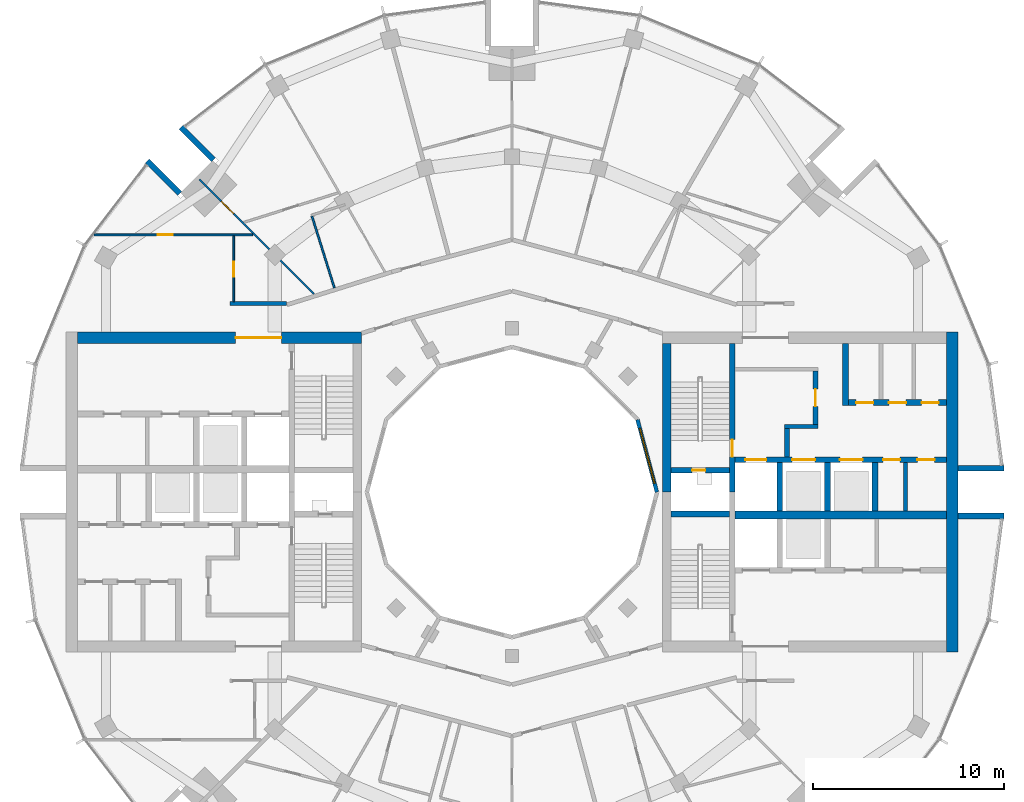
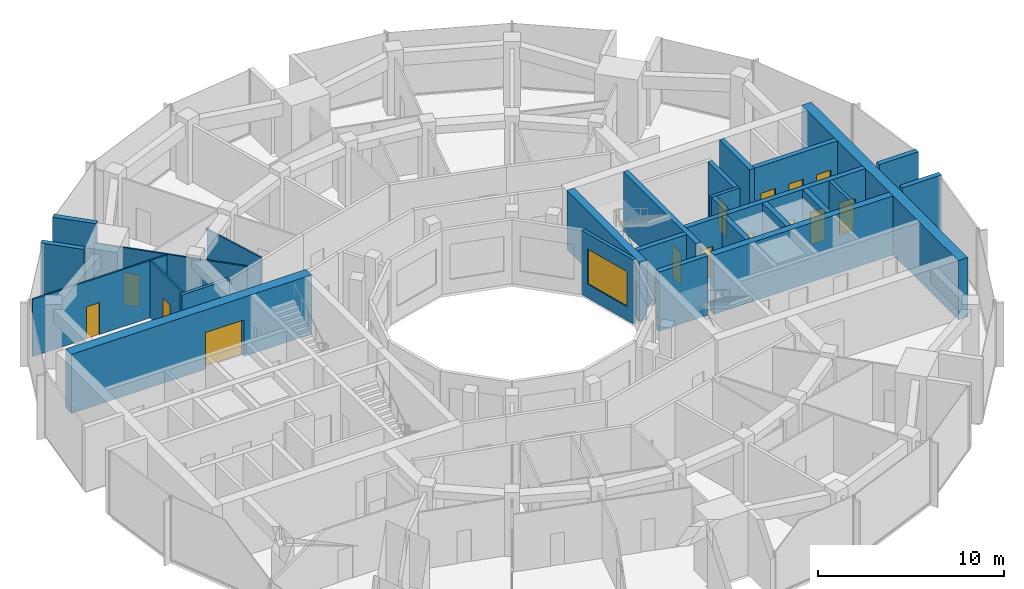
# One storey, part 11 of 15: 27 walls, 15 doors, 1 window, 16 openings.
"""IFC4 building model written with IfcOpenShell, lengths in metres."""

import ifcopenshell
import ifcopenshell.guid

model = None  # the IFC model being written
_history = None  # IfcOwnerHistory: only IFC2X3 demands one
_inside = {}  # id of a spatial element -> (the spatial element, [elements in it])
_under = {}  # id of a project, library or spatial element -> (it, [spatial elements below it])
_declared = {}  # id of a project -> (the project, [libraries it declares])
_typed = {}  # id of a type object -> (the type object, [elements of that type])
_made_of = {}  # id of a material, layer set ... -> (it, [elements and type objects made of it])


def new_model(schema):
    """Start an empty IFC model of exactly this schema.

    Asked for "IFC4X3", IfcOpenShell would pick the latest addendum, in which some entities
    have other attributes; the version numbers below select the first issue.
    IFC2X3 requires an IfcOwnerHistory on every rooted entity: one is made here for all.
    """
    global model, _history
    if schema == "IFC4X3":
        model = ifcopenshell.file(schema_version=(4, 3, 0, 0))
    else:
        model = ifcopenshell.file(schema=schema)
    _inside.clear()
    _under.clear()
    _declared.clear()
    _typed.clear()
    _made_of.clear()
    _history = None
    if model.schema == "IFC2X3":
        org = make("IfcOrganization", Name="unknown")
        user = make(
            "IfcPersonAndOrganization",
            ThePerson=make("IfcPerson", FamilyName="unknown"),
            TheOrganization=org,
        )
        app = make(
            "IfcApplication",
            ApplicationDeveloper=org,
            Version="unknown",
            ApplicationFullName="unknown",
            ApplicationIdentifier="unknown",
        )
        _history = make(
            "IfcOwnerHistory",
            OwningUser=user,
            OwningApplication=app,
            ChangeAction="ADDED",
            CreationDate=0,
        )
    return model


def make(cls, **values):
    """One entity of the class cls with the attributes given. An attribute that is None is left unset."""
    return model.create_entity(
        cls, **{name: value for name, value in values.items() if value is not None}
    )


def rooted(cls, **values):
    """An entity with a GlobalId (a new one), such as an element, a storey or a relation."""
    return make(cls, GlobalId=ifcopenshell.guid.new(), OwnerHistory=_history, **values)


def si_unit(unit_type, name, prefix=None):
    """IfcSIUnit, for example si_unit("LENGTHUNIT", "METRE", prefix="MILLI")."""
    return make("IfcSIUnit", UnitType=unit_type, Prefix=prefix, Name=name)


def assignment(units):
    """IfcUnitAssignment: the units of a project."""
    return None if units is None else make("IfcUnitAssignment", Units=units)


def point(xyz):
    """IfcCartesianPoint."""
    return None if xyz is None else make("IfcCartesianPoint", Coordinates=xyz)


def direction(xyz):
    """IfcDirection."""
    return None if xyz is None else make("IfcDirection", DirectionRatios=xyz)


def frame(location, z_axis=None, x_axis=None):
    """IfcAxis2Placement3D, a coordinate frame: its origin and axes. An axis left out is left unset."""
    return make(
        "IfcAxis2Placement3D",
        Location=point(location),
        Axis=direction(z_axis),
        RefDirection=direction(x_axis),
    )


def frame_2d(location, x_axis=None):
    """IfcAxis2Placement2D, a coordinate frame in the plane: its origin and x axis."""
    return make(
        "IfcAxis2Placement2D", Location=point(location), RefDirection=direction(x_axis)
    )


def origin():
    """The frame at (0, 0, 0) with its axes left unset."""
    return frame((0.0, 0.0, 0.0))


def place(relative_to, where):
    """IfcLocalPlacement: puts the frame where relative to a parent placement (None: the world)."""
    return make(
        "IfcLocalPlacement", PlacementRelTo=relative_to, RelativePlacement=where
    )


def context(
    kind, dimensions, precision=None, world=None, true_north=None, identifier=None
):
    """IfcGeometricRepresentationContext, for example the 3D "Model" context."""
    return make(
        "IfcGeometricRepresentationContext",
        ContextIdentifier=identifier,
        ContextType=kind,
        CoordinateSpaceDimension=dimensions,
        Precision=precision,
        WorldCoordinateSystem=world,
        TrueNorth=true_north,
    )


def subcontext(parent, identifier, kind, view, scale=None):
    """IfcGeometricRepresentationSubContext, for example "Body" below "Model"."""
    return make(
        "IfcGeometricRepresentationSubContext",
        ContextIdentifier=identifier,
        ContextType=kind,
        ParentContext=parent,
        TargetScale=scale,
        TargetView=view,
    )


def project(units=None, contexts=None):
    """IfcProject with its units and contexts."""
    return rooted(
        "IfcProject",
        Name="project",
        RepresentationContexts=contexts,
        UnitsInContext=assignment(units),
    )


def spatial(cls, under=None, at=None, **own):
    """A site, building, storey or space (cls), placed at a placement, below another one or the project."""
    s = rooted(cls, ObjectPlacement=at, **own)
    if under is not None:
        _under.setdefault(under.id(), (under, []))[1].append(s)
    return s


def profile(cls, at=None, kind="AREA", **sizes):
    """A parametric profile (cls). Its sizes go by their IFC names, for example OverallWidth=200.0."""
    return make(cls, ProfileType=kind, Position=at, **sizes)


def rectangle(**sizes):
    """IfcRectangleProfileDef."""
    return profile("IfcRectangleProfileDef", **sizes)


def extrude(swept, where, along, depth):
    """IfcExtrudedAreaSolid: the profile swept, set in the frame where, extruded along a direction by depth."""
    return make(
        "IfcExtrudedAreaSolid",
        SweptArea=swept,
        Position=where,
        ExtrudedDirection=direction(along),
        Depth=depth,
    )


def shape(context_of_items, identifier, shape_type, items):
    """IfcShapeRepresentation: the items that make up one representation, for example the "Body"."""
    return make(
        "IfcShapeRepresentation",
        ContextOfItems=context_of_items,
        RepresentationIdentifier=identifier,
        RepresentationType=shape_type,
        Items=items,
    )


def material(Name=None, Category=None):
    """IfcMaterial."""
    return make("IfcMaterial", Name=Name, Category=Category)


def layer(
    of_material, thickness, ventilated=None, Name=None, Category=None, Priority=None
):
    """IfcMaterialLayer: one layer of a wall or slab, of a material (None: an air gap)."""
    return make(
        "IfcMaterialLayer",
        Material=of_material,
        LayerThickness=thickness,
        IsVentilated=ventilated,
        Name=Name,
        Category=Category,
        Priority=Priority,
    )


def layer_set(layers, Name=None):
    """IfcMaterialLayerSet."""
    return make("IfcMaterialLayerSet", MaterialLayers=layers, LayerSetName=Name)


def made_of(thing, what):
    """Note that an element or type object is made of a material, layer set ...; save() writes the relation."""
    if what is not None:
        _made_of.setdefault(what.id(), (what, []))[1].append(thing)
    return thing


def type_object(cls, material=None, **own):
    """A type object (cls), such as IfcWallType, which elements share."""
    return made_of(rooted(cls, **own), material)


def element(
    cls,
    number,
    at=None,
    inside=None,
    cuts=None,
    type_object=None,
    material=None,
    context=None,
    identifier="Body",
    shape_type=None,
    held_by="IfcProductDefinitionShape",
    body=None,
    shapes=None,
    **own,
):
    """One element of the class cls, such as IfcWall. Its Tag is "e" and its number.

    at: its placement. inside: the storey or other place that contains it. cuts: it is an
    opening in that element (IfcRelVoidsElement). A single representation is given by context,
    identifier, shape_type and body (its items); several are given by shapes. held_by: the class
    of the entity that holds the representations. save() writes the other relations.
    """
    e = rooted(cls, Tag="e%d" % number, ObjectPlacement=at, **own)
    if body is not None:
        shapes = [shape(context, identifier, shape_type, body)]
    if shapes is not None:
        e.Representation = make(held_by, Representations=shapes)
    if inside is not None:
        _inside.setdefault(inside.id(), (inside, []))[1].append(e)
    if cuts is not None:
        rooted(
            "IfcRelVoidsElement", RelatingBuildingElement=cuts, RelatedOpeningElement=e
        )
    if type_object is not None:
        _typed.setdefault(type_object.id(), (type_object, []))[1].append(e)
    return made_of(e, material)


def fill(opening, filler):
    """IfcRelFillsElement: the door or window that sits in an opening."""
    return rooted(
        "IfcRelFillsElement",
        RelatingOpeningElement=opening,
        RelatedBuildingElement=filler,
    )


def aggregate(whole, parts):
    """IfcRelAggregates: a whole, such as a stair, and the parts it consists of."""
    return rooted("IfcRelAggregates", RelatingObject=whole, RelatedObjects=parts)


def save(model, path):
    """Write the relations noted so far, then the file.

    IfcRelAggregates (storeys below a building ...), IfcRelContainedInSpatialStructure (elements
    in a storey), IfcRelDefinesByType, IfcRelAssociatesMaterial and IfcRelDeclares: one each for
    every whole, place, type object, material and project.
    """
    for whole, parts in _under.values():
        aggregate(whole, parts)
    for where, things in _inside.values():
        rooted(
            "IfcRelContainedInSpatialStructure",
            RelatedElements=things,
            RelatingStructure=where,
        )
    for kind, things in _typed.values():
        rooted("IfcRelDefinesByType", RelatedObjects=things, RelatingType=kind)
    for what, things in _made_of.values():
        rooted("IfcRelAssociatesMaterial", RelatedObjects=things, RelatingMaterial=what)
    for by, libraries in _declared.values():
        rooted("IfcRelDeclares", RelatingContext=by, RelatedDefinitions=libraries)
    model.write(path)


model = new_model("IFC4")

# Units and contexts
model_context = context("Model", 3, precision=1e-05, world=origin(), true_north=direction((0.0, 1.0)))
body_context = subcontext(model_context, "Body", "Model", "MODEL_VIEW")
ifc_project = project(units=[si_unit("LENGTHUNIT", "METRE"), si_unit("AREAUNIT", "SQUARE_METRE"), si_unit("VOLUMEUNIT", "CUBIC_METRE"), si_unit("PLANEANGLEUNIT", "RADIAN"), si_unit("MASSUNIT", "GRAM", prefix="KILO")], contexts=[model_context])

# Site, building, storey
site_placement = place(None, origin())
site = spatial("IfcSite", under=ifc_project, at=site_placement, CompositionType="ELEMENT")
building_placement = place(site_placement, origin())
building = spatial("IfcBuilding", under=site, at=building_placement, Name="Torre Brocal", CompositionType="ELEMENT")
storey_placement = place(building_placement, frame((0.0, 0.0, 258.300048828125)))
storey = spatial("IfcBuildingStorey", under=building, at=storey_placement, Name="L59", CompositionType="ELEMENT", Elevation=258.300048828125)

# Walls
ifc_material_1 = material(Name="Masonry block", Category="masonry")
ifc_layer_1 = layer(ifc_material_1, 0.199951171875)
ifc_layer_set_1 = layer_set([ifc_layer_1], Name="Masonry block")
wall_type_1 = type_object("IfcWallType", Name="CORE PARTITION 200", PredefinedType="PARTITIONING", material=ifc_layer_set_1)
wall_1_placement = place(storey_placement, frame((100.639892578125, 74.0, 0.0), z_axis=(0.0, 0.0, 1.0), x_axis=(0.0, 1.0, 0.0)))
element("IfcWall", 1, at=wall_1_placement, inside=storey, type_object=wall_type_1, Name="Wall CP200", PredefinedType="PARTITIONING", context=body_context, shape_type="SweptSolid", body=[
    extrude(rectangle(XDim=2.550048828125, YDim=0.199951171875, at=frame_2d((1.27490234375, 0.0))), origin(), (0.0, 0.0, 1.0), 3.8798828125),
])
ifc_material_2 = material(Name="Concrete C60", Category="concrete")
ifc_layer_2 = layer(ifc_material_2, 0.199951171875)
ifc_layer_set_2 = layer_set([ifc_layer_2], Name="Concrete C60")
wall_type_2 = type_object("IfcWallType", Name="CORE WALL 200 C60", PredefinedType="SHEAR", material=ifc_layer_set_2)
wall_2_placement = place(storey_placement, frame((94.300048828125, 78.449951171875, 0.0), z_axis=(0.0, 0.0, 1.0), x_axis=(1.0, 0.0, 0.0)))
element("IfcWall", 2, at=wall_2_placement, inside=storey, type_object=wall_type_2, Name="Wall CW200-60", PredefinedType="SHEAR", context=body_context, shape_type="SweptSolid", body=[
    extrude(rectangle(XDim=1.75, YDim=0.199951171875, at=frame_2d((0.875, 0.0))), origin(), (0.0, 0.0, 1.0), 3.8798828125),
])

# Wall, opening, door
ifc_material_3 = material(Name="Concrete C60", Category="concrete")
ifc_layer_3 = layer(ifc_material_3, 0.25)
ifc_layer_set_3 = layer_set([ifc_layer_3], Name="Concrete C60")
wall_type_3 = type_object("IfcWallType", Name="CORE WALL 250 C60", PredefinedType="SHEAR", material=ifc_layer_set_3)
wall_3_placement = place(storey_placement, frame((95.925048828125, 78.550048828125, 0.0), z_axis=(0.0, 0.0, 1.0), x_axis=(0.0, 1.0, 0.0)))
wall_3 = element("IfcWall", 3, at=wall_3_placement, inside=storey, type_object=wall_type_3, Name="Wall CW250-60", PredefinedType="SHEAR", context=body_context, shape_type="SweptSolid", body=[
    extrude(rectangle(XDim=2.800048828125, YDim=0.25, at=frame_2d((1.39990234375, 0.0))), origin(), (0.0, 0.0, 1.0), 3.8798828125),
])
opening_1_placement = place(wall_3_placement, frame((0.949951171875, 0.0, 0.0)))
opening_1 = element("IfcOpeningElement", 4, at=opening_1_placement, cuts=wall_3, Name="Opening E-D08", PredefinedType="OPENING", context=body_context, shape_type="SweptSolid", body=[
    extrude(rectangle(XDim=0.89990234375, YDim=2.10009765625, at=frame_2d((0.449951171875, 1.050048828125))), frame((0.0, 0.135009765625, 0.0), z_axis=(0.0, -1.0, 0.0), x_axis=(1.0, 0.0, 0.0)), (0.0, 0.0, 1.0), 0.27001953125),
])
ifc_material_4 = material(Name="Steel A653", Category="steel")
door_type_1 = type_object("IfcDoorType", Name="LOBBY DOOR FD120 900X2100", OperationType="SINGLE_SWING_RIGHT", PredefinedType="DOOR", material=ifc_material_4)
door_1_placement = place(opening_1_placement, origin())
door_1 = element("IfcDoor", 5, at=door_1_placement, inside=storey, type_object=door_type_1, Name="Door E-D08", OperationType="SINGLE_SWING_LEFT", OverallHeight=2.10009765625, OverallWidth=0.89990234375, PredefinedType="DOOR", context=body_context, shape_type="SweptSolid", body=[
    extrude(rectangle(XDim=0.89990234375, YDim=2.10009765625, at=frame_2d((0.449951171875, 1.050048828125))), frame((0.0, 0.02490234375, 0.0), z_axis=(0.0, -1.0, 0.0), x_axis=(1.0, 0.0, 0.0)), (0.0, 0.0, 1.0), 0.050048828125),
])
fill(opening_1, door_1)

# Wall
wall_4_placement = place(storey_placement, frame((94.425048828125, 76.85009765625, 0.0), z_axis=(0.0, 0.0, 1.0), x_axis=(0.0, 1.0, 0.0)))
element("IfcWall", 6, at=wall_4_placement, inside=storey, type_object=wall_type_3, Name="Wall CW250-60", PredefinedType="SHEAR", context=body_context, shape_type="SweptSolid", body=[
    extrude(rectangle(XDim=1.5, YDim=0.25, at=frame_2d((0.75, 0.0))), origin(), (0.0, 0.0, 1.0), 3.8798828125),
])

# Wall, opening, door
ifc_material_5 = material(Name="Concrete C60", Category="concrete")
ifc_layer_4 = layer(ifc_material_5, 0.300048828125)
ifc_layer_set_4 = layer_set([ifc_layer_4], Name="Concrete C60")
wall_type_4 = type_object("IfcWallType", Name="CORE WALL 300 C60", PredefinedType="SHEAR", material=ifc_layer_set_4)
wall_5_placement = place(storey_placement, frame((91.550048828125, 75.0, 0.0), z_axis=(0.0, 0.0, 1.0), x_axis=(0.0, 1.0, 0.0)))
wall_5 = element("IfcWall", 7, at=wall_5_placement, inside=storey, type_object=wall_type_4, Name="Wall CW300-60", PredefinedType="SHEAR", context=body_context, shape_type="SweptSolid", body=[
    extrude(rectangle(XDim=7.800048828125, YDim=0.300048828125, at=frame_2d((3.89990234375, 0.0))), origin(), (0.0, 0.0, 1.0), 3.8798828125),
])
opening_2_placement = place(wall_5_placement, frame((1.85009765625, 0.0, 0.0)))
opening_2 = element("IfcOpeningElement", 8, at=opening_2_placement, cuts=wall_5, Name="Opening E-D02", PredefinedType="OPENING", context=body_context, shape_type="SweptSolid", body=[
    extrude(rectangle(XDim=0.89990234375, YDim=2.10009765625, at=frame_2d((0.449951171875, 1.050048828125))), frame((0.0, 0.159912109375, 0.0), z_axis=(0.0, -1.0, 0.0), x_axis=(1.0, 0.0, 0.0)), (0.0, 0.0, 1.0), 0.320068359375),
])
ifc_material_6 = material(Name="Steel A653", Category="steel")
door_type_2 = type_object("IfcDoorType", Name="STAIR DOOR FD120 900X2100", OperationType="SINGLE_SWING_RIGHT", PredefinedType="DOOR", material=ifc_material_6)
door_2_placement = place(opening_2_placement, origin())
door_2 = element("IfcDoor", 9, at=door_2_placement, inside=storey, type_object=door_type_2, Name="Door E-D02", OperationType="SINGLE_SWING_LEFT", OverallHeight=2.10009765625, OverallWidth=0.89990234375, PredefinedType="DOOR", context=body_context, shape_type="SweptSolid", body=[
    extrude(rectangle(XDim=0.89990234375, YDim=2.10009765625, at=frame_2d((0.449951171875, 1.050048828125))), frame((0.0, 0.02490234375, 0.0), z_axis=(0.0, -1.0, 0.0), x_axis=(1.0, 0.0, 0.0)), (0.0, 0.0, 1.0), 0.050048828125),
])
fill(opening_2, door_2)

wall_6_placement = place(storey_placement, frame((88.35009765625, 76.14990234375, 0.0), z_axis=(0.0, 0.0, 1.0), x_axis=(1.0, 0.0, 0.0)))
wall_6 = element("IfcWall", 10, at=wall_6_placement, inside=storey, type_object=wall_type_4, Name="Wall CW300-60", PredefinedType="SHEAR", context=body_context, shape_type="SweptSolid", body=[
    extrude(rectangle(XDim=3.0498046875, YDim=0.300048828125, at=frame_2d((1.52490234375, 0.0))), origin(), (0.0, 0.0, 1.0), 3.8798828125),
])
opening_3_placement = place(wall_6_placement, frame((1.10009765625, 0.0, 0.0)))
opening_3 = element("IfcOpeningElement", 11, at=opening_3_placement, cuts=wall_6, Name="Opening E-D01", PredefinedType="OPENING", context=body_context, shape_type="SweptSolid", body=[
    extrude(rectangle(XDim=0.699951171875, YDim=2.0, at=frame_2d((0.35009765625, 1.0))), frame((0.0, 0.159912109375, 0.0), z_axis=(0.0, -1.0, 0.0), x_axis=(1.0, 0.0, 0.0)), (0.0, 0.0, 1.0), 0.320068359375),
])
ifc_material_7 = material(Name="Steel A653", Category="steel")
door_type_3 = type_object("IfcDoorType", Name="RISER DOOR FD120 700X2000", OperationType="SINGLE_SWING_LEFT", PredefinedType="DOOR", material=ifc_material_7)
door_3_placement = place(opening_3_placement, frame((0.699951171875, 0.0, 0.0), z_axis=(0.0, 0.0, 1.0), x_axis=(-1.0, 0.0, 0.0)))
door_3 = element("IfcDoor", 12, at=door_3_placement, inside=storey, type_object=door_type_3, Name="Door E-D01", OperationType="SINGLE_SWING_RIGHT", OverallHeight=2.0, OverallWidth=0.699951171875, PredefinedType="DOOR", context=body_context, shape_type="SweptSolid", body=[
    extrude(rectangle(XDim=0.699951171875, YDim=2.0, at=frame_2d((0.35009765625, 1.0))), frame((0.0, 0.02490234375, 0.0), z_axis=(0.0, -1.0, 0.0), x_axis=(1.0, 0.0, 0.0)), (0.0, 0.0, 1.0), 0.050048828125),
])
fill(opening_3, door_3)

# Wall
wall_7_placement = place(storey_placement, frame((88.35009765625, 73.85009765625, 0.0), z_axis=(0.0, 0.0, 1.0), x_axis=(1.0, 0.0, 0.0)))
element("IfcWall", 13, at=wall_7_placement, inside=storey, type_object=wall_type_4, Name="Wall CW300-60", PredefinedType="SHEAR", context=body_context, shape_type="SweptSolid", body=[
    extrude(rectangle(XDim=3.0498046875, YDim=0.300048828125, at=frame_2d((1.52490234375, 0.0))), origin(), (0.0, 0.0, 1.0), 3.8798828125),
])

# Wall, openings, doors
wall_8_placement = place(storey_placement, frame((91.699951171875, 76.699951171875, 0.0), z_axis=(0.0, 0.0, 1.0), x_axis=(1.0, 0.0, 0.0)))
wall_8 = element("IfcWall", 14, at=wall_8_placement, inside=storey, type_object=wall_type_4, Name="Wall CW300-60", PredefinedType="SHEAR", context=body_context, shape_type="SweptSolid", body=[
    extrude(rectangle(XDim=11.10009765625, YDim=0.300048828125, at=frame_2d((5.550048828125, 0.0))), origin(), (0.0, 0.0, 1.0), 3.8798828125),
])
opening_4_placement = place(wall_8_placement, frame((0.550048828125, 0.0, 0.0)))
opening_4 = element("IfcOpeningElement", 15, at=opening_4_placement, cuts=wall_8, Name="Opening LD", PredefinedType="OPENING", context=body_context, shape_type="SweptSolid", body=[
    extrude(rectangle(XDim=1.10009765625, YDim=2.10009765625, at=frame_2d((0.550048828125, 1.050048828125))), frame((0.0, 0.159912109375, 0.0), z_axis=(0.0, -1.0, 0.0), x_axis=(1.0, 0.0, 0.0)), (0.0, 0.0, 1.0), 0.320068359375),
])
opening_5_placement = place(wall_8_placement, frame((3.0, 0.0, 0.0)))
opening_5 = element("IfcOpeningElement", 16, at=opening_5_placement, cuts=wall_8, Name="Opening LD12", PredefinedType="OPENING", context=body_context, shape_type="SweptSolid", body=[
    extrude(rectangle(XDim=1.199951171875, YDim=2.10009765625, at=frame_2d((0.60009765625, 1.050048828125))), frame((0.0, 0.159912109375, 0.0), z_axis=(0.0, -1.0, 0.0), x_axis=(1.0, 0.0, 0.0)), (0.0, 0.0, 1.0), 0.320068359375),
])
opening_6_placement = place(wall_8_placement, frame((5.5, 0.0, 0.0)))
opening_6 = element("IfcOpeningElement", 17, at=opening_6_placement, cuts=wall_8, Name="Opening LD12", PredefinedType="OPENING", context=body_context, shape_type="SweptSolid", body=[
    extrude(rectangle(XDim=1.199951171875, YDim=2.10009765625, at=frame_2d((0.60009765625, 1.050048828125))), frame((0.0, 0.159912109375, 0.0), z_axis=(0.0, -1.0, 0.0), x_axis=(1.0, 0.0, 0.0)), (0.0, 0.0, 1.0), 0.320068359375),
])
opening_7_placement = place(wall_8_placement, frame((7.77001953125, 0.0, 0.0)))
opening_7 = element("IfcOpeningElement", 18, at=opening_7_placement, cuts=wall_8, Name="Opening E-D04", PredefinedType="OPENING", context=body_context, shape_type="SweptSolid", body=[
    extrude(rectangle(XDim=0.89990234375, YDim=2.10009765625, at=frame_2d((0.449951171875, 1.050048828125))), frame((0.0, 0.159912109375, 0.0), z_axis=(0.0, -1.0, 0.0), x_axis=(1.0, 0.0, 0.0)), (0.0, 0.0, 1.0), 0.320068359375),
])
opening_8_placement = place(wall_8_placement, frame((9.570068359375, 0.0, 0.0)))
opening_8 = element("IfcOpeningElement", 19, at=opening_8_placement, cuts=wall_8, Name="Opening E-D05", PredefinedType="OPENING", context=body_context, shape_type="SweptSolid", body=[
    extrude(rectangle(XDim=0.89990234375, YDim=2.10009765625, at=frame_2d((0.449951171875, 1.050048828125))), frame((0.0, 0.159912109375, 0.0), z_axis=(0.0, -1.0, 0.0), x_axis=(1.0, 0.0, 0.0)), (0.0, 0.0, 1.0), 0.320068359375),
])
ifc_material_8 = material(Name="Stainless steel AISI 316", Category="steel")
door_type_4 = type_object("IfcDoorType", Name="LIFT LANDING DOOR 1100X2100", OperationType="DOUBLE_DOOR_SLIDING", PredefinedType="DOOR", material=ifc_material_8)
door_4_placement = place(opening_4_placement, origin())
door_4 = element("IfcDoor", 20, at=door_4_placement, inside=storey, type_object=door_type_4, Name="Door LD", OperationType="DOUBLE_DOOR_SLIDING", OverallHeight=2.10009765625, OverallWidth=1.10009765625, PredefinedType="DOOR", context=body_context, shape_type="SweptSolid", body=[
    extrude(rectangle(XDim=1.10009765625, YDim=2.10009765625, at=frame_2d((0.550048828125, 1.050048828125))), frame((0.0, 0.02490234375, 0.0), z_axis=(0.0, -1.0, 0.0), x_axis=(1.0, 0.0, 0.0)), (0.0, 0.0, 1.0), 0.050048828125),
])
fill(opening_4, door_4)
ifc_material_9 = material(Name="Stainless steel AISI 316", Category="steel")
door_type_5 = type_object("IfcDoorType", Name="LIFT LANDING DOOR 1200X2100", OperationType="DOUBLE_DOOR_SLIDING", PredefinedType="DOOR", material=ifc_material_9)
door_5_placement = place(opening_5_placement, origin())
door_5 = element("IfcDoor", 21, at=door_5_placement, inside=storey, type_object=door_type_5, Name="Door LD12", OperationType="DOUBLE_DOOR_SLIDING", OverallHeight=2.10009765625, OverallWidth=1.199951171875, PredefinedType="DOOR", context=body_context, shape_type="SweptSolid", body=[
    extrude(rectangle(XDim=1.199951171875, YDim=2.10009765625, at=frame_2d((0.60009765625, 1.050048828125))), frame((0.0, 0.02490234375, 0.0), z_axis=(0.0, -1.0, 0.0), x_axis=(1.0, 0.0, 0.0)), (0.0, 0.0, 1.0), 0.050048828125),
])
fill(opening_5, door_5)
door_6_placement = place(opening_6_placement, origin())
door_6 = element("IfcDoor", 22, at=door_6_placement, inside=storey, type_object=door_type_5, Name="Door LD12", OperationType="DOUBLE_DOOR_SLIDING", OverallHeight=2.10009765625, OverallWidth=1.199951171875, PredefinedType="DOOR", context=body_context, shape_type="SweptSolid", body=[
    extrude(rectangle(XDim=1.199951171875, YDim=2.10009765625, at=frame_2d((0.60009765625, 1.050048828125))), frame((0.0, 0.02490234375, 0.0), z_axis=(0.0, -1.0, 0.0), x_axis=(1.0, 0.0, 0.0)), (0.0, 0.0, 1.0), 0.050048828125),
])
fill(opening_6, door_6)
ifc_material_10 = material(Name="Steel A653", Category="steel")
door_type_6 = type_object("IfcDoorType", Name="ROOM DOOR FD30S 900X2100", OperationType="SINGLE_SWING_LEFT", PredefinedType="DOOR", material=ifc_material_10)
door_7_placement = place(opening_7_placement, frame((0.89990234375, 0.0, 0.0), z_axis=(0.0, 0.0, 1.0), x_axis=(-1.0, 0.0, 0.0)))
door_7 = element("IfcDoor", 23, at=door_7_placement, inside=storey, type_object=door_type_6, Name="Door E-D04", OperationType="SINGLE_SWING_LEFT", OverallHeight=2.10009765625, OverallWidth=0.89990234375, PredefinedType="DOOR", context=body_context, shape_type="SweptSolid", body=[
    extrude(rectangle(XDim=0.89990234375, YDim=2.10009765625, at=frame_2d((0.449951171875, 1.050048828125))), frame((0.0, 0.02490234375, 0.0), z_axis=(0.0, -1.0, 0.0), x_axis=(1.0, 0.0, 0.0)), (0.0, 0.0, 1.0), 0.050048828125),
])
fill(opening_7, door_7)
door_8_placement = place(opening_8_placement, frame((0.89990234375, 0.0, 0.0), z_axis=(0.0, 0.0, 1.0), x_axis=(-1.0, 0.0, 0.0)))
door_8 = element("IfcDoor", 24, at=door_8_placement, inside=storey, type_object=door_type_6, Name="Door E-D05", OperationType="SINGLE_SWING_RIGHT", OverallHeight=2.10009765625, OverallWidth=0.89990234375, PredefinedType="DOOR", context=body_context, shape_type="SweptSolid", body=[
    extrude(rectangle(XDim=0.89990234375, YDim=2.10009765625, at=frame_2d((0.449951171875, 1.050048828125))), frame((0.0, 0.02490234375, 0.0), z_axis=(0.0, -1.0, 0.0), x_axis=(1.0, 0.0, 0.0)), (0.0, 0.0, 1.0), 0.050048828125),
])
fill(opening_8, door_8)

# Walls
for number, where, z_axis, x_axis, name in (
    (25, (94.050048828125, 74.0, 0.0), (0.0, 0.0, 1.0), (0.0, 1.0, 0.0), "Wall CW300-60"),
    (26, (96.550048828125, 74.0, 0.0), (0.0, 0.0, 1.0), (0.0, 1.0, 0.0), "Wall CW300-60"),
    (27, (99.050048828125, 74.0, 0.0), (0.0, 0.0, 1.0), (0.0, 1.0, 0.0), "Wall CW300-60"),
):
    element("IfcWall", number, at=place(storey_placement, frame(where, z_axis=z_axis, x_axis=x_axis)), inside=storey, type_object=wall_type_4, Name=name, PredefinedType="SHEAR", context=body_context, shape_type="SweptSolid", body=[
        extrude(rectangle(XDim=2.550048828125, YDim=0.300048828125, at=frame_2d((1.27490234375, 0.0))), origin(), (0.0, 0.0, 1.0), 3.8798828125),
    ])
wall_9_placement = place(storey_placement, frame((97.5, 79.550048828125, 0.0), z_axis=(0.0, 0.0, 1.0), x_axis=(0.0, 1.0, 0.0)))
element("IfcWall", 28, at=wall_9_placement, inside=storey, type_object=wall_type_4, Name="Wall CW300-60", PredefinedType="SHEAR", context=body_context, shape_type="SweptSolid", body=[
    extrude(rectangle(XDim=3.25, YDim=0.300048828125, at=frame_2d((1.625, 0.0))), origin(), (0.0, 0.0, 1.0), 3.8798828125),
])

# Wall, openings, doors
wall_10_placement = place(storey_placement, frame((97.64990234375, 79.699951171875, 0.0), z_axis=(0.0, 0.0, 1.0), x_axis=(1.0, 0.0, 0.0)))
wall_10 = element("IfcWall", 29, at=wall_10_placement, inside=storey, type_object=wall_type_4, Name="Wall CW300-60", PredefinedType="SHEAR", context=body_context, shape_type="SweptSolid", body=[
    extrude(rectangle(XDim=5.150146484375, YDim=0.300048828125, at=frame_2d((2.5751953125, 0.0))), origin(), (0.0, 0.0, 1.0), 3.8798828125),
])
opening_9_placement = place(wall_10_placement, frame((0.408203125, 0.0, 0.0)))
opening_9 = element("IfcOpeningElement", 30, at=opening_9_placement, cuts=wall_10, Name="Opening E-D09", PredefinedType="OPENING", context=body_context, shape_type="SweptSolid", body=[
    extrude(rectangle(XDim=0.89990234375, YDim=2.10009765625, at=frame_2d((0.449951171875, 1.050048828125))), frame((0.0, 0.159912109375, 0.0), z_axis=(0.0, -1.0, 0.0), x_axis=(1.0, 0.0, 0.0)), (0.0, 0.0, 1.0), 0.320068359375),
])
opening_10_placement = place(wall_10_placement, frame((2.125, 0.0, 0.0)))
opening_10 = element("IfcOpeningElement", 31, at=opening_10_placement, cuts=wall_10, Name="Opening E-D10", PredefinedType="OPENING", context=body_context, shape_type="SweptSolid", body=[
    extrude(rectangle(XDim=0.89990234375, YDim=2.10009765625, at=frame_2d((0.449951171875, 1.050048828125))), frame((0.0, 0.159912109375, 0.0), z_axis=(0.0, -1.0, 0.0), x_axis=(1.0, 0.0, 0.0)), (0.0, 0.0, 1.0), 0.320068359375),
])
opening_11_placement = place(wall_10_placement, frame((3.841796875, 0.0, 0.0)))
opening_11 = element("IfcOpeningElement", 32, at=opening_11_placement, cuts=wall_10, Name="Opening E-D11", PredefinedType="OPENING", context=body_context, shape_type="SweptSolid", body=[
    extrude(rectangle(XDim=0.89990234375, YDim=2.10009765625, at=frame_2d((0.449951171875, 1.050048828125))), frame((0.0, 0.159912109375, 0.0), z_axis=(0.0, -1.0, 0.0), x_axis=(1.0, 0.0, 0.0)), (0.0, 0.0, 1.0), 0.320068359375),
])
door_9_placement = place(opening_9_placement, origin())
door_9 = element("IfcDoor", 33, at=door_9_placement, inside=storey, type_object=door_type_6, Name="Door E-D09", OperationType="SINGLE_SWING_RIGHT", OverallHeight=2.10009765625, OverallWidth=0.89990234375, PredefinedType="DOOR", context=body_context, shape_type="SweptSolid", body=[
    extrude(rectangle(XDim=0.89990234375, YDim=2.10009765625, at=frame_2d((0.449951171875, 1.050048828125))), frame((0.0, 0.02490234375, 0.0), z_axis=(0.0, -1.0, 0.0), x_axis=(1.0, 0.0, 0.0)), (0.0, 0.0, 1.0), 0.050048828125),
])
fill(opening_9, door_9)
door_10_placement = place(opening_10_placement, origin())
door_10 = element("IfcDoor", 34, at=door_10_placement, inside=storey, type_object=door_type_6, Name="Door E-D10", OperationType="SINGLE_SWING_RIGHT", OverallHeight=2.10009765625, OverallWidth=0.89990234375, PredefinedType="DOOR", context=body_context, shape_type="SweptSolid", body=[
    extrude(rectangle(XDim=0.89990234375, YDim=2.10009765625, at=frame_2d((0.449951171875, 1.050048828125))), frame((0.0, 0.02490234375, 0.0), z_axis=(0.0, -1.0, 0.0), x_axis=(1.0, 0.0, 0.0)), (0.0, 0.0, 1.0), 0.050048828125),
])
fill(opening_10, door_10)
door_11_placement = place(opening_11_placement, origin())
door_11 = element("IfcDoor", 35, at=door_11_placement, inside=storey, type_object=door_type_6, Name="Door E-D11", OperationType="SINGLE_SWING_LEFT", OverallHeight=2.10009765625, OverallWidth=0.89990234375, PredefinedType="DOOR", context=body_context, shape_type="SweptSolid", body=[
    extrude(rectangle(XDim=0.89990234375, YDim=2.10009765625, at=frame_2d((0.449951171875, 1.050048828125))), frame((0.0, 0.02490234375, 0.0), z_axis=(0.0, -1.0, 0.0), x_axis=(1.0, 0.0, 0.0)), (0.0, 0.0, 1.0), 0.050048828125),
])
fill(opening_11, door_11)

# Walls
ifc_material_11 = material(Name="Concrete C60", Category="concrete")
ifc_layer_5 = layer(ifc_material_11, 0.39990234375)
ifc_layer_set_5 = layer_set([ifc_layer_5], Name="Concrete C60")
wall_type_5 = type_object("IfcWallType", Name="CORE WALL 400 C60", PredefinedType="SHEAR", material=ifc_layer_set_5)
wall_11_placement = place(storey_placement, frame((91.699951171875, 73.800048828125, 0.0), z_axis=(0.0, 0.0, 1.0), x_axis=(1.0, 0.0, 0.0)))
element("IfcWall", 36, at=wall_11_placement, inside=storey, type_object=wall_type_5, Name="Wall CW400-60", PredefinedType="SHEAR", context=body_context, shape_type="SweptSolid", body=[
    extrude(rectangle(XDim=11.10009765625, YDim=0.39990234375, at=frame_2d((5.550048828125, 0.0))), origin(), (0.0, 0.0, 1.0), 3.8798828125),
])
ifc_material_12 = material(Name="Concrete C60", Category="concrete")
ifc_layer_6 = layer(ifc_material_12, 0.449951171875)
ifc_layer_set_6 = layer_set([ifc_layer_6], Name="Concrete C60")
wall_type_6 = type_object("IfcWallType", Name="CORE WALL 450 C60", PredefinedType="SHEAR", material=ifc_layer_set_6)
wall_12_placement = place(storey_placement, frame((88.125, 75.0, 0.0), z_axis=(0.0, 0.0, 1.0), x_axis=(0.0, 1.0, 0.0)))
element("IfcWall", 37, at=wall_12_placement, inside=storey, type_object=wall_type_6, Name="Wall CW450-60", PredefinedType="SHEAR", context=body_context, shape_type="SweptSolid", body=[
    extrude(rectangle(XDim=7.800048828125, YDim=0.449951171875, at=frame_2d((3.89990234375, 0.0))), origin(), (0.0, 0.0, 1.0), 3.8798828125),
])
ifc_material_13 = material(Name="Concrete C60", Category="concrete")
ifc_layer_7 = layer(ifc_material_13, 0.60009765625)
ifc_layer_set_7 = layer_set([ifc_layer_7], Name="Concrete C60")
wall_type_7 = type_object("IfcWallType", Name="CORE WALL 600 C60", PredefinedType="SHEAR", material=ifc_layer_set_7)
wall_13_placement = place(storey_placement, frame((103.10009765625, 66.60009765625, 0.0), z_axis=(0.0, 0.0, 1.0), x_axis=(0.0, 1.0, 0.0)))
element("IfcWall", 38, at=wall_13_placement, inside=storey, type_object=wall_type_7, Name="Wall CW600-60", PredefinedType="SHEAR", context=body_context, shape_type="SweptSolid", body=[
    extrude(rectangle(XDim=16.7998046875, YDim=0.60009765625, at=frame_2d((8.39990234375, 0.0))), origin(), (0.0, 0.0, 1.0), 3.8798828125),
])

# Wall, opening, door
wall_14_placement = place(storey_placement, frame((72.10009765625, 83.10009765625, 0.0), z_axis=(0.0, 0.0, 1.0), x_axis=(-1.0, 0.0, 0.0)))
wall_14 = element("IfcWall", 39, at=wall_14_placement, inside=storey, type_object=wall_type_7, Name="Wall CW600-60", PredefinedType="SHEAR", context=body_context, shape_type="SweptSolid", body=[
    extrude(rectangle(XDim=14.900146484375, YDim=0.60009765625, at=frame_2d((7.4501953125, 0.0))), origin(), (0.0, 0.0, 1.0), 3.8798828125),
])
opening_12_placement = place(wall_14_placement, frame((4.199951171875, 0.0, 0.0)))
opening_12 = element("IfcOpeningElement", 40, at=opening_12_placement, cuts=wall_14, Name="Opening W-D13", PredefinedType="OPENING", context=body_context, shape_type="SweptSolid", body=[
    extrude(rectangle(XDim=2.39990234375, YDim=2.39990234375, at=frame_2d((1.199951171875, 1.199951171875))), frame((0.0, 0.31005859375, 0.0), z_axis=(0.0, -1.0, 0.0), x_axis=(1.0, 0.0, 0.0)), (0.0, 0.0, 1.0), 0.6201171875),
])
ifc_material_14 = material(Name="Steel A653", Category="steel")
door_type_7 = type_object("IfcDoorType", Name="DOUBLE FIRE DOOR FD90 2400X2400", OperationType="DOUBLE_DOOR_SINGLE_SWING", PredefinedType="DOOR", material=ifc_material_14)
door_12_placement = place(opening_12_placement, origin())
door_12 = element("IfcDoor", 41, at=door_12_placement, inside=storey, type_object=door_type_7, Name="Door W-D13", OperationType="DOUBLE_DOOR_SINGLE_SWING", OverallHeight=2.39990234375, OverallWidth=2.39990234375, PredefinedType="DOOR", context=body_context, shape_type="SweptSolid", body=[
    extrude(rectangle(XDim=2.39990234375, YDim=2.39990234375, at=frame_2d((1.199951171875, 1.199951171875))), frame((0.0, 0.02490234375, 0.0), z_axis=(0.0, -1.0, 0.0), x_axis=(1.0, 0.0, 0.0)), (0.0, 0.0, 1.0), 0.050048828125),
])
fill(opening_12, door_12)

# Walls
ifc_material_15 = material(Name="Concrete C60", Category="concrete")
ifc_layer_8 = layer(ifc_material_15, 0.300048828125)
ifc_layer_set_8 = layer_set([ifc_layer_8], Name="Concrete C60")
wall_type_8 = type_object("IfcWallType", Name="NOTCH RETURN WALL 300 C60", PredefinedType="NOTDEFINED", material=ifc_layer_set_8)
for number, where, z_axis, x_axis, name in (
    (42, (103.39990234375, 73.75, 0.0), (0.0, 0.0, 1.0), (1.0, 0.0, 0.0), "NOTCH RETURN WALL"),
    (43, (103.39990234375, 76.25, 0.0), (0.0, 0.0, 1.0), (1.0, 0.0, 0.0), "NOTCH RETURN WALL"),
    (44, (64.337646484375, 92.43017578125, 0.0), (0.0, 0.0, 1.0), (-0.707106781187, 0.707106781187, 0.0), "NOTCH RETURN WALL"),
    (45, (62.56982421875, 90.662353515625, 0.0), (0.0, 0.0, 1.0), (-0.707106781187, 0.707106781187, 0.0), "NOTCH RETURN WALL"),
):
    element("IfcWall", number, at=place(storey_placement, frame(where, z_axis=z_axis, x_axis=x_axis)), inside=storey, type_object=wall_type_8, Name=name, PredefinedType="NOTDEFINED", context=body_context, shape_type="SweptSolid", body=[
        extrude(rectangle(XDim=2.415771484375, YDim=0.300048828125, at=frame_2d((1.2080078125, 0.0))), origin(), (0.0, 0.0, 1.0), 4.199951171875),
    ])

# Wall, opening, door
ifc_material_16 = material(Name="Gypsum board", Category="Gypsum")
ifc_layer_9 = layer(ifc_material_16, 0.10009765625)
ifc_layer_set_9 = layer_set([ifc_layer_9], Name="Gypsum board")
wall_type_9 = type_object("IfcWallType", Name="PARTITION 100", PredefinedType="PARTITIONING", material=ifc_layer_set_9)
wall_15_placement = place(storey_placement, frame((58.072021484375, 88.5, 0.0), z_axis=(0.0, 0.0, 1.0), x_axis=(1.0, 0.0, 0.0)))
wall_15 = element("IfcWall", 46, at=wall_15_placement, inside=storey, type_object=wall_type_9, Name="BATHROOM WALL", PredefinedType="PARTITIONING", context=body_context, shape_type="SweptSolid", body=[
    extrude(rectangle(XDim=8.31884765625, YDim=0.10009765625, at=frame_2d((4.159423828125, 0.0))), origin(), (0.0, 0.0, 1.0), 3.75),
])
opening_13_placement = place(wall_15_placement, frame((3.3291015625, 0.0, 0.0)))
opening_13 = element("IfcOpeningElement", 47, at=opening_13_placement, cuts=wall_15, Name="Opening B04-D17", PredefinedType="OPENING", context=body_context, shape_type="SweptSolid", body=[
    extrude(rectangle(XDim=0.800048828125, YDim=2.10009765625, at=frame_2d((0.39990234375, 1.050048828125))), frame((0.0, 0.06005859375, 0.0), z_axis=(0.0, -1.0, 0.0), x_axis=(1.0, 0.0, 0.0)), (0.0, 0.0, 1.0), 0.1201171875),
])
ifc_material_17 = material(Name="Timber", Category="wood")
door_type_8 = type_object("IfcDoorType", Name="BATHROOM DOOR 800X2100", OperationType="SINGLE_SWING_LEFT", PredefinedType="DOOR", material=ifc_material_17)
door_13_placement = place(opening_13_placement, origin())
door_13 = element("IfcDoor", 48, at=door_13_placement, inside=storey, type_object=door_type_8, Name="B04-D17", OperationType="SINGLE_SWING_LEFT", OverallHeight=2.10009765625, OverallWidth=0.800048828125, PredefinedType="DOOR", context=body_context, shape_type="SweptSolid", body=[
    extrude(rectangle(XDim=0.800048828125, YDim=2.10009765625, at=frame_2d((0.39990234375, 1.050048828125))), frame((0.0, 0.02490234375, 0.0), z_axis=(0.0, -1.0, 0.0), x_axis=(1.0, 0.0, 0.0)), (0.0, 0.0, 1.0), 0.050048828125),
])
fill(opening_13, door_13)

wall_16_placement = place(storey_placement, frame((63.597412109375, 91.406982421875, 0.0), z_axis=(0.0, 0.0, 1.0), x_axis=(0.70700623685, -0.707207311228, 0.0)))
wall_16 = element("IfcWall", 49, at=wall_16_placement, inside=storey, type_object=wall_type_9, Name="BATHROOM WALL", PredefinedType="PARTITIONING", context=body_context, shape_type="SweptSolid", body=[
    extrude(rectangle(XDim=8.499267578125, YDim=0.10009765625, at=frame_2d((4.24951171875, 0.0))), origin(), (0.0, 0.0, 1.0), 3.75),
])
opening_14_placement = place(wall_16_placement, frame((1.6318359375, 0.0, 0.0)))
opening_14 = element("IfcOpeningElement", 50, at=opening_14_placement, cuts=wall_16, Name="Opening B04-D15", PredefinedType="OPENING", context=body_context, shape_type="SweptSolid", body=[
    extrude(rectangle(XDim=0.89990234375, YDim=2.10009765625, at=frame_2d((0.449951171875, 1.050048828125))), frame((0.0, 0.06005859375, 0.0), z_axis=(0.0, -1.0, 0.0), x_axis=(1.0, 0.0, 0.0)), (0.0, 0.0, 1.0), 0.1201171875),
])
ifc_material_18 = material(Name="Timber", Category="wood")
door_type_9 = type_object("IfcDoorType", Name="ROOM DOOR 900X2100", OperationType="SINGLE_SWING_LEFT", PredefinedType="DOOR", material=ifc_material_18)
door_14_placement = place(opening_14_placement, frame((0.89990234375, 0.0, 0.0), z_axis=(0.0, 0.0, 1.0), x_axis=(-1.0, 0.0, 0.0)))
door_14 = element("IfcDoor", 51, at=door_14_placement, inside=storey, type_object=door_type_9, Name="B04-D15", OperationType="SINGLE_SWING_LEFT", OverallHeight=2.10009765625, OverallWidth=0.89990234375, PredefinedType="DOOR", context=body_context, shape_type="SweptSolid", body=[
    extrude(rectangle(XDim=0.89990234375, YDim=2.10009765625, at=frame_2d((0.449951171875, 1.050048828125))), frame((0.0, 0.02490234375, 0.0), z_axis=(0.0, -1.0, 0.0), x_axis=(1.0, 0.0, 0.0)), (0.0, 0.0, 1.0), 0.050048828125),
])
fill(opening_14, door_14)

wall_17_placement = place(storey_placement, frame((65.39990234375, 85.0, 0.0), z_axis=(0.0, 0.0, 1.0), x_axis=(0.0, 1.0, 0.0)))
wall_17 = element("IfcWall", 52, at=wall_17_placement, inside=storey, type_object=wall_type_9, Name="BATHROOM WALL", PredefinedType="PARTITIONING", context=body_context, shape_type="SweptSolid", body=[
    extrude(rectangle(XDim=3.449951171875, YDim=0.10009765625, at=frame_2d((1.72509765625, 0.0))), origin(), (0.0, 0.0, 1.0), 3.75),
])
opening_15_placement = place(wall_17_placement, frame((1.300048828125, 0.0, 0.0)))
opening_15 = element("IfcOpeningElement", 53, at=opening_15_placement, cuts=wall_17, Name="Opening B04-D16", PredefinedType="OPENING", context=body_context, shape_type="SweptSolid", body=[
    extrude(rectangle(XDim=0.800048828125, YDim=2.10009765625, at=frame_2d((0.39990234375, 1.050048828125))), frame((0.0, 0.06005859375, 0.0), z_axis=(0.0, -1.0, 0.0), x_axis=(1.0, 0.0, 0.0)), (0.0, 0.0, 1.0), 0.1201171875),
])
door_15_placement = place(opening_15_placement, frame((0.800048828125, 0.0, 0.0), z_axis=(0.0, 0.0, 1.0), x_axis=(-1.0, 0.0, 0.0)))
door_15 = element("IfcDoor", 54, at=door_15_placement, inside=storey, type_object=door_type_8, Name="B04-D16", OperationType="SINGLE_SWING_RIGHT", OverallHeight=2.10009765625, OverallWidth=0.800048828125, PredefinedType="DOOR", context=body_context, shape_type="SweptSolid", body=[
    extrude(rectangle(XDim=0.800048828125, YDim=2.10009765625, at=frame_2d((0.39990234375, 1.050048828125))), frame((0.0, 0.02490234375, 0.0), z_axis=(0.0, -1.0, 0.0), x_axis=(1.0, 0.0, 0.0)), (0.0, 0.0, 1.0), 0.050048828125),
])
fill(opening_15, door_15)

# Walls
wall_18_placement = place(storey_placement, frame((69.5009765625, 89.486328125, 0.0), z_axis=(0.0, 0.0, 1.0), x_axis=(0.298971609069, -0.954262006459, 0.0)))
element("IfcWall", 55, at=wall_18_placement, inside=storey, type_object=wall_type_9, Name="BATHROOM WALL", PredefinedType="PARTITIONING", context=body_context, shape_type="SweptSolid", body=[
    extrude(rectangle(XDim=3.95068359375, YDim=0.10009765625, at=frame_2d((1.975341796875, 0.0))), origin(), (0.0, 0.0, 1.0), 3.75),
])
ifc_material_19 = material(Name="Gypsum board", Category="Gypsum")
ifc_layer_10 = layer(ifc_material_19, 0.199951171875)
ifc_layer_set_10 = layer_set([ifc_layer_10], Name="Gypsum board")
wall_type_10 = type_object("IfcWallType", Name="PARTITION 200 EI60", PredefinedType="PARTITIONING", material=ifc_layer_set_10)
wall_19_placement = place(storey_placement, frame((65.199951171875, 84.89990234375, 0.0), z_axis=(0.0, 0.0, 1.0), x_axis=(1.0, 0.0, 0.0)))
element("IfcWall", 56, at=wall_19_placement, inside=storey, type_object=wall_type_10, Name="GUESTROOM CORRIDOR WALL", PredefinedType="PARTITIONING", context=body_context, shape_type="SweptSolid", body=[
    extrude(rectangle(XDim=2.969970703125, YDim=0.199951171875, at=frame_2d((1.48486328125, 0.0))), origin(), (0.0, 0.0, 1.0), 3.75),
])

# Wall, opening, window
ifc_material_20 = material(Name="Concrete C40", Category="concrete")
ifc_layer_11 = layer(ifc_material_20, 0.199951171875)
ifc_layer_set_11 = layer_set([ifc_layer_11], Name="Concrete C40")
wall_type_11 = type_object("IfcWallType", Name="WELL FACADE WALL 200", PredefinedType="NOTDEFINED", material=ifc_layer_set_11)
wall_20_placement = place(storey_placement, frame((87.603515625, 75.0, 0.0), z_axis=(0.0, 0.0, 1.0), x_axis=(-0.258789828301, 0.965933654434, 0.0)))
wall_20 = element("IfcWall", 57, at=wall_20_placement, inside=storey, type_object=wall_type_11, Name="WELL FACADE WALL", PredefinedType="NOTDEFINED", context=body_context, shape_type="SweptSolid", body=[
    extrude(rectangle(XDim=3.935791015625, YDim=0.199951171875, at=frame_2d((1.9677734375, 0.0))), origin(), (0.0, 0.0, 1.0), 4.199951171875),
])
opening_16_placement = place(wall_20_placement, frame((0.468017578125, 0.0, 0.89990234375)))
opening_16 = element("IfcOpeningElement", 58, at=opening_16_placement, cuts=wall_20, Name="Opening W1", PredefinedType="OPENING", context=body_context, shape_type="SweptSolid", body=[
    extrude(rectangle(XDim=3.0, YDim=2.300048828125, at=frame_2d((1.5, 1.14990234375))), frame((0.0, 0.10986328125, 0.0), z_axis=(0.0, -1.0, 0.0), x_axis=(1.0, 0.0, 0.0)), (0.0, 0.0, 1.0), 0.219970703125),
])
ifc_material_21 = material(Name="Aluminium and glass", Category="aluminium")
window_type = type_object("IfcWindowType", Name="WELL WINDOW 3000X2300", PartitioningType="SINGLE_PANEL", PredefinedType="WINDOW", material=ifc_material_21)
window_placement = place(opening_16_placement, origin())
window = element("IfcWindow", 59, at=window_placement, inside=storey, type_object=window_type, Name="WELL WINDOW 3000X2300", OverallHeight=2.300048828125, OverallWidth=3.0, PartitioningType="SINGLE_PANEL", PredefinedType="WINDOW", context=body_context, shape_type="SweptSolid", body=[
    extrude(rectangle(XDim=3.0, YDim=2.300048828125, at=frame_2d((1.5, 1.14990234375))), frame((0.0, 0.030029296875, 0.0), z_axis=(0.0, -1.0, 0.0), x_axis=(1.0, 0.0, 0.0)), (0.0, 0.0, 1.0), 0.06005859375),
])
fill(opening_16, window)

save(model, "model.ifc")
